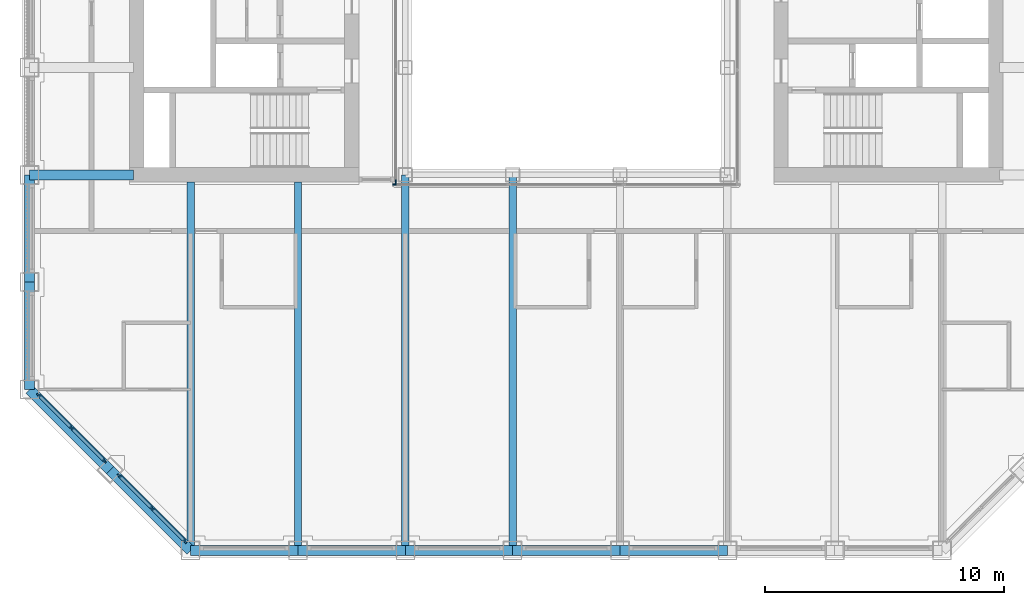
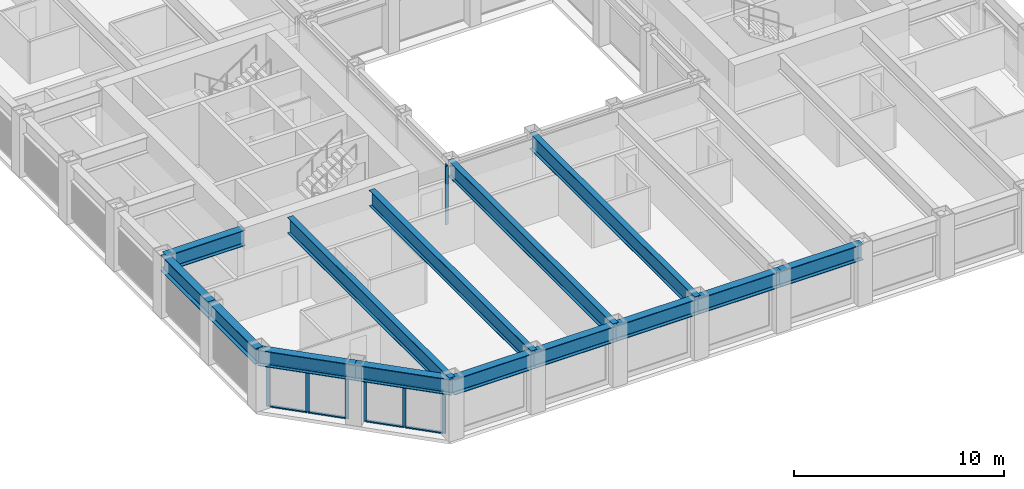
# One storey, part 2 of 17: 16 members, 14 beams, 4 elements without a shape of their own.
"""IFC4 building model written with IfcOpenShell, lengths in metres."""

from ifc_helpers import new_model, si_unit, direction, frame, origin, origin_2d, place, context, subcontext, project, spatial, rectangle, i_section, extrude, material, material_profile, profile_set, type_object, element, aggregate, save


model = new_model("IFC4")

# Units and contexts
model_context = context("Model", 3, precision=1e-05, world=origin(), true_north=direction((0.0, 1.0)))
body_context = subcontext(model_context, "Body", "Model", "MODEL_VIEW")
ifc_project = project(units=[si_unit("LENGTHUNIT", "METRE"), si_unit("AREAUNIT", "SQUARE_METRE"), si_unit("VOLUMEUNIT", "CUBIC_METRE"), si_unit("PLANEANGLEUNIT", "RADIAN"), si_unit("MASSUNIT", "GRAM", prefix="KILO")], contexts=[model_context])

# Site, building, storey
site_placement = place(None, origin())
site = spatial("IfcSite", under=ifc_project, at=site_placement, CompositionType="ELEMENT")
building_placement = place(site_placement, origin())
building = spatial("IfcBuilding", under=site, at=building_placement, Name="Msasa Ring Tower", CompositionType="ELEMENT")
storey_placement = place(building_placement, frame((0.0, 0.0, 165.199951171875)))
storey = spatial("IfcBuildingStorey", under=building, at=storey_placement, Name="L43", CompositionType="ELEMENT", Elevation=165.199951171875)

# Curtain wall, members
ifc_material_1 = material(Name="Aluminium curtain wall with clear glass", Category="aluminium")
curtain_wall_type_1 = type_object("IfcCurtainWallType", Name="CW-C CHAMFER CORNER CURTAIN WALL", PredefinedType="NOTDEFINED", material=ifc_material_1)
curtain_wall_1_placement = place(storey_placement, origin())
curtain_wall_1 = element("IfcCurtainWall", 1, at=curtain_wall_1_placement, inside=storey, type_object=curtain_wall_type_1, Name="Chamfer corner curtain wall SW L43", PredefinedType="NOTDEFINED")
ifc_material_2 = material(Name="Aluminium mullion", Category="aluminium")
ifc_material_profile_1 = material_profile(ifc_material_2, rectangle(XDim=0.06494140625, YDim=0.179931640625, at=origin_2d()), Name="AL 65x180")
ifc_profile_set_1 = profile_set([ifc_material_profile_1], Name="Aluminium mullion")
member_type_1 = type_object("IfcMemberType", Name="CW-C MULLION 65x180", PredefinedType="MULLION", material=ifc_profile_set_1)
member_1_placement = place(storey_placement, frame((-22.119873046875, -15.98876953125, 0.0), z_axis=(0.0, 0.0, 1.0), x_axis=(0.707106781187, 0.707106781187, 0.0)))
member_1 = element("IfcMember", 2, at=member_1_placement, type_object=member_type_1, Name="CW-C mullion 1", PredefinedType="MULLION", context=body_context, shape_type="SweptSolid", body=[
    extrude(rectangle(XDim=0.06494140625, YDim=0.179931640625, at=origin_2d()), origin(), (0.0, 0.0, 1.0), 2.47900390625),
])
member_2_placement = place(storey_placement, frame((-20.74169921875, -17.36669921875, 0.0), z_axis=(0.0, 0.0, 1.0), x_axis=(0.707106781187, 0.707106781187, 0.0)))
member_2 = element("IfcMember", 3, at=member_2_placement, type_object=member_type_1, Name="CW-C mullion 2", PredefinedType="MULLION", context=body_context, shape_type="SweptSolid", body=[
    extrude(rectangle(XDim=0.06494140625, YDim=0.179931640625, at=origin_2d()), origin(), (0.0, 0.0, 1.0), 2.47900390625),
])
member_3_placement = place(storey_placement, frame((-19.36376953125, -18.744873046875, 0.0), z_axis=(0.0, 0.0, 1.0), x_axis=(0.707106781187, 0.707106781187, 0.0)))
member_3 = element("IfcMember", 4, at=member_3_placement, type_object=member_type_1, Name="CW-C mullion 3", PredefinedType="MULLION", context=body_context, shape_type="SweptSolid", body=[
    extrude(rectangle(XDim=0.06494140625, YDim=0.179931640625, at=origin_2d()), origin(), (0.0, 0.0, 1.0), 2.47900390625),
])

curtain_wall_2_placement = place(storey_placement, origin())
curtain_wall_2 = element("IfcCurtainWall", 5, at=curtain_wall_2_placement, inside=storey, type_object=curtain_wall_type_1, Name="Chamfer corner curtain wall SW L43", PredefinedType="NOTDEFINED")
member_4_placement = place(storey_placement, frame((-18.744873046875, -19.36376953125, 0.0), z_axis=(0.0, 0.0, 1.0), x_axis=(0.707106781187, 0.707106781187, 0.0)))
member_4 = element("IfcMember", 6, at=member_4_placement, type_object=member_type_1, Name="CW-C mullion 1", PredefinedType="MULLION", context=body_context, shape_type="SweptSolid", body=[
    extrude(rectangle(XDim=0.06494140625, YDim=0.179931640625, at=origin_2d()), origin(), (0.0, 0.0, 1.0), 2.47900390625),
])
member_5_placement = place(storey_placement, frame((-17.36669921875, -20.74169921875, 0.0), z_axis=(0.0, 0.0, 1.0), x_axis=(0.707106781187, 0.707106781187, 0.0)))
member_5 = element("IfcMember", 7, at=member_5_placement, type_object=member_type_1, Name="CW-C mullion 2", PredefinedType="MULLION", context=body_context, shape_type="SweptSolid", body=[
    extrude(rectangle(XDim=0.06494140625, YDim=0.179931640625, at=origin_2d()), origin(), (0.0, 0.0, 1.0), 2.47900390625),
])
member_6_placement = place(storey_placement, frame((-15.98876953125, -22.119873046875, 0.0), z_axis=(0.0, 0.0, 1.0), x_axis=(0.707106781187, 0.707106781187, 0.0)))
member_6 = element("IfcMember", 8, at=member_6_placement, type_object=member_type_1, Name="CW-C mullion 3", PredefinedType="MULLION", context=body_context, shape_type="SweptSolid", body=[
    extrude(rectangle(XDim=0.06494140625, YDim=0.179931640625, at=origin_2d()), origin(), (0.0, 0.0, 1.0), 2.47900390625),
])

# Member
ifc_material_3 = material(Name="Aluminium transom", Category="aluminium")
ifc_material_profile_2 = material_profile(ifc_material_3, rectangle(XDim=0.139892578125, YDim=0.06494140625, at=origin_2d()), Name="AL 65x140")
ifc_profile_set_2 = profile_set([ifc_material_profile_2], Name="Aluminium transom")
member_type_2 = type_object("IfcMemberType", Name="CW-C TRANSOM 65x140", PredefinedType="USERDEFINED", material=ifc_profile_set_2)
member_7_placement = place(storey_placement, frame((-22.096923828125, -16.01171875, 0.032470703125), z_axis=(0.707106781187, -0.707106781187, 0.0), x_axis=(0.707106781187, 0.707106781187, 0.0)))
member_7 = element("IfcMember", 9, at=member_7_placement, type_object=member_type_2, Name="CW-C transom 1.1", ObjectType="TRANSOM", PredefinedType="USERDEFINED", context=body_context, shape_type="SweptSolid", body=[
    extrude(rectangle(XDim=0.139892578125, YDim=0.06494140625, at=origin_2d()), origin(), (0.0, 0.0, 1.0), 1.8837890625),
])

member_8_placement = place(storey_placement, frame((-22.096923828125, -16.01171875, 2.446533203125), z_axis=(0.707106781187, -0.707106781187, 0.0), x_axis=(0.707106781187, 0.707106781187, 0.0)))
member_8 = element("IfcMember", 10, at=member_8_placement, type_object=member_type_2, Name="CW-C transom 1.2", ObjectType="TRANSOM", PredefinedType="USERDEFINED", context=body_context, shape_type="SweptSolid", body=[
    extrude(rectangle(XDim=0.139892578125, YDim=0.06494140625, at=origin_2d()), origin(), (0.0, 0.0, 1.0), 1.8837890625),
])

member_9_placement = place(storey_placement, frame((-20.71875, -17.389892578125, 0.032470703125), z_axis=(0.707106781187, -0.707106781187, 0.0), x_axis=(0.707106781187, 0.707106781187, 0.0)))
member_9 = element("IfcMember", 11, at=member_9_placement, type_object=member_type_2, Name="CW-C transom 2.1", ObjectType="TRANSOM", PredefinedType="USERDEFINED", context=body_context, shape_type="SweptSolid", body=[
    extrude(rectangle(XDim=0.139892578125, YDim=0.06494140625, at=origin_2d()), origin(), (0.0, 0.0, 1.0), 1.8837890625),
])

member_10_placement = place(storey_placement, frame((-20.71875, -17.389892578125, 2.446533203125), z_axis=(0.707106781187, -0.707106781187, 0.0), x_axis=(0.707106781187, 0.707106781187, 0.0)))
member_10 = element("IfcMember", 12, at=member_10_placement, type_object=member_type_2, Name="CW-C transom 2.2", ObjectType="TRANSOM", PredefinedType="USERDEFINED", context=body_context, shape_type="SweptSolid", body=[
    extrude(rectangle(XDim=0.139892578125, YDim=0.06494140625, at=origin_2d()), origin(), (0.0, 0.0, 1.0), 1.8837890625),
])

aggregate(curtain_wall_1, [member_1, member_2, member_3, member_7, member_8, member_9, member_10])

member_11_placement = place(storey_placement, frame((-18.721923828125, -19.38671875, 0.032470703125), z_axis=(0.707106781187, -0.707106781187, 0.0), x_axis=(0.707106781187, 0.707106781187, 0.0)))
member_11 = element("IfcMember", 13, at=member_11_placement, type_object=member_type_2, Name="CW-C transom 1.1", ObjectType="TRANSOM", PredefinedType="USERDEFINED", context=body_context, shape_type="SweptSolid", body=[
    extrude(rectangle(XDim=0.139892578125, YDim=0.06494140625, at=origin_2d()), origin(), (0.0, 0.0, 1.0), 1.8837890625),
])

member_12_placement = place(storey_placement, frame((-18.721923828125, -19.38671875, 2.446533203125), z_axis=(0.707106781187, -0.707106781187, 0.0), x_axis=(0.707106781187, 0.707106781187, 0.0)))
member_12 = element("IfcMember", 14, at=member_12_placement, type_object=member_type_2, Name="CW-C transom 1.2", ObjectType="TRANSOM", PredefinedType="USERDEFINED", context=body_context, shape_type="SweptSolid", body=[
    extrude(rectangle(XDim=0.139892578125, YDim=0.06494140625, at=origin_2d()), origin(), (0.0, 0.0, 1.0), 1.8837890625),
])

member_13_placement = place(storey_placement, frame((-17.34375, -20.764892578125, 0.032470703125), z_axis=(0.707106781187, -0.707106781187, 0.0), x_axis=(0.707106781187, 0.707106781187, 0.0)))
member_13 = element("IfcMember", 15, at=member_13_placement, type_object=member_type_2, Name="CW-C transom 2.1", ObjectType="TRANSOM", PredefinedType="USERDEFINED", context=body_context, shape_type="SweptSolid", body=[
    extrude(rectangle(XDim=0.139892578125, YDim=0.06494140625, at=origin_2d()), origin(), (0.0, 0.0, 1.0), 1.8837890625),
])

member_14_placement = place(storey_placement, frame((-17.34375, -20.764892578125, 2.446533203125), z_axis=(0.707106781187, -0.707106781187, 0.0), x_axis=(0.707106781187, 0.707106781187, 0.0)))
member_14 = element("IfcMember", 16, at=member_14_placement, type_object=member_type_2, Name="CW-C transom 2.2", ObjectType="TRANSOM", PredefinedType="USERDEFINED", context=body_context, shape_type="SweptSolid", body=[
    extrude(rectangle(XDim=0.139892578125, YDim=0.06494140625, at=origin_2d()), origin(), (0.0, 0.0, 1.0), 1.8837890625),
])

aggregate(curtain_wall_2, [member_4, member_5, member_6, member_11, member_12, member_13, member_14])

# Curtain wall, member
ifc_material_4 = material(Name="Aluminium curtain wall with clear glass", Category="aluminium")
curtain_wall_type_2 = type_object("IfcCurtainWallType", Name="CW-W LIGHT WELL CURTAIN WALL", PredefinedType="NOTDEFINED", material=ifc_material_4)
curtain_wall_3_placement = place(storey_placement, origin())
curtain_wall_3 = element("IfcCurtainWall", 17, at=curtain_wall_3_placement, inside=storey, type_object=curtain_wall_type_2, Name="Light well curtain wall S L43", PredefinedType="NOTDEFINED")
ifc_material_5 = material(Name="Aluminium mullion", Category="aluminium")
ifc_material_profile_3 = material_profile(ifc_material_5, rectangle(XDim=0.06005859375, YDim=0.159912109375, at=origin_2d()), Name="AL 60x160")
ifc_profile_set_3 = profile_set([ifc_material_profile_3], Name="Aluminium mullion")
member_type_3 = type_object("IfcMemberType", Name="CW-W MULLION 60x160", PredefinedType="MULLION", material=ifc_profile_set_3)
member_15_placement = place(storey_placement, frame((-7.199951171875, -7.14990234375, 0.0), z_axis=(0.0, 0.0, 1.0), x_axis=(0.0, 1.0, 0.0)))
member_15 = element("IfcMember", 18, at=member_15_placement, type_object=member_type_3, Name="CW-W mullion 1", PredefinedType="MULLION", context=body_context, shape_type="SweptSolid", body=[
    extrude(rectangle(XDim=0.06005859375, YDim=0.159912109375, at=origin_2d()), origin(), (0.0, 0.0, 1.0), 3.400146484375),
])
aggregate(curtain_wall_3, [member_15])

curtain_wall_4_placement = place(storey_placement, origin())
curtain_wall_4 = element("IfcCurtainWall", 19, at=curtain_wall_4_placement, inside=storey, type_object=curtain_wall_type_2, Name="Light well curtain wall W L43", PredefinedType="NOTDEFINED")
member_16_placement = place(storey_placement, frame((-7.14990234375, -7.0400390625, 0.0), z_axis=(0.0, 0.0, 1.0), x_axis=(-1.0, 0.0, 0.0)))
member_16 = element("IfcMember", 20, at=member_16_placement, type_object=member_type_3, Name="CW-W mullion 1", PredefinedType="MULLION", context=body_context, shape_type="SweptSolid", body=[
    extrude(rectangle(XDim=0.06005859375, YDim=0.159912109375, at=origin_2d()), origin(), (0.0, 0.0, 1.0), 3.400146484375),
])
aggregate(curtain_wall_4, [member_16])

# Beams
ifc_material_6 = material(Name="Steel S355", Category="steel")
ifc_material_profile_4 = material_profile(ifc_material_6, i_section(OverallWidth=0.3076171875, OverallDepth=0.926513671875, WebThickness=0.01953125, FlangeThickness=0.031982421875, FilletRadius=0.01904296875, at=origin_2d()), Name="UB 914x305x289")
ifc_profile_set_4 = profile_set([ifc_material_profile_4], Name="Steel S355")
beam_type_1 = type_object("IfcBeamType", Name="FB3 UB 914x305x289", PredefinedType="BEAM", material=ifc_profile_set_4)
for number, where, z_axis, x_axis, name in (
    (21, (-15.75, -22.5, 2.936767578125), (0.0, 1.0, 0.0), (-1.0, 0.0, 0.0), "Floor beam S-15.75 under L44"),
    (22, (-11.25, -22.5, 2.936767578125), (0.0, 1.0, 0.0), (-1.0, 0.0, 0.0), "Floor beam S-11.25 under L44"),
):
    element("IfcBeam", number, at=place(storey_placement, frame(where, z_axis=z_axis, x_axis=x_axis)), inside=storey, type_object=beam_type_1, Name=name, PredefinedType="BEAM", context=body_context, shape_type="SweptSolid", body=[
        extrude(i_section(OverallWidth=0.3076171875, OverallDepth=0.926513671875, WebThickness=0.01953125, FlangeThickness=0.031982421875, FilletRadius=0.01904296875, at=origin_2d()), origin(), (0.0, 0.0, 1.0), 15.449951171875),
    ])
for number, where, z_axis, x_axis, name in (
    (23, (-6.75, -22.5, 2.936767578125), (0.0, 1.0, 0.0), (-1.0, 0.0, 0.0), "Floor beam S-6.75 under L44"),
    (24, (-2.25, -22.5, 2.936767578125), (0.0, 1.0, 0.0), (-1.0, 0.0, 0.0), "Floor beam S-2.25 under L44"),
):
    element("IfcBeam", number, at=place(storey_placement, frame(where, z_axis=z_axis, x_axis=x_axis)), inside=storey, type_object=beam_type_1, Name=name, PredefinedType="BEAM", context=body_context, shape_type="SweptSolid", body=[
        extrude(i_section(OverallWidth=0.3076171875, OverallDepth=0.926513671875, WebThickness=0.01953125, FlangeThickness=0.031982421875, FilletRadius=0.01904296875, at=origin_2d()), origin(), (0.0, 0.0, 1.0), 15.75),
    ])
ifc_material_7 = material(Name="Steel S355", Category="steel")
ifc_material_profile_5 = material_profile(ifc_material_7, i_section(OverallWidth=0.42041015625, OverallDepth=0.9208984375, WebThickness=0.021484375, FlangeThickness=0.03662109375, FilletRadius=0.024169921875, at=origin_2d()), Name="UB 914x419x388")
ifc_profile_set_5 = profile_set([ifc_material_profile_5], Name="Steel S355")
beam_type_2 = type_object("IfcBeamType", Name="GB1 UB 914x419x388", PredefinedType="BEAM", material=ifc_profile_set_5)
beam_placement = place(storey_placement, frame((-18.14990234375, -6.75, 2.939453125), z_axis=(-1.0, 0.0, 0.0), x_axis=(0.0, -1.0, 0.0)))
element("IfcBeam", 25, at=beam_placement, inside=storey, type_object=beam_type_2, Name="Girder W -6.75 under L44", PredefinedType="BEAM", context=body_context, shape_type="SweptSolid", body=[
    extrude(i_section(OverallWidth=0.42041015625, OverallDepth=0.9208984375, WebThickness=0.021484375, FlangeThickness=0.03662109375, FilletRadius=0.024169921875, at=origin_2d()), origin(), (0.0, 0.0, 1.0), 4.35009765625),
])
ifc_material_8 = material(Name="Steel S355", Category="steel")
ifc_material_profile_6 = material_profile(ifc_material_8, i_section(OverallWidth=0.42041015625, OverallDepth=0.9208984375, WebThickness=0.021484375, FlangeThickness=0.03662109375, FilletRadius=0.024169921875, at=origin_2d()), Name="UB 914x419x388")
ifc_profile_set_6 = profile_set([ifc_material_profile_6], Name="Steel S355")
beam_type_3 = type_object("IfcBeamType", Name="SB1 UB 914x419x388", PredefinedType="SPANDREL", material=ifc_profile_set_6)
for number, where, z_axis, x_axis, name in (
    (26, (-22.5, -6.75, 2.939453125), (0.0, -1.0, 0.0), (1.0, 0.0, 0.0), "Spandrel W-6.75 to W-11.25 under L44"),
    (27, (-22.5, -11.25, 2.939453125), (0.0, -1.0, 0.0), (1.0, 0.0, 0.0), "Spandrel W-11.25 to W-15.75 under L44"),
):
    element("IfcBeam", number, at=place(storey_placement, frame(where, z_axis=z_axis, x_axis=x_axis)), inside=storey, type_object=beam_type_3, Name=name, PredefinedType="SPANDREL", context=body_context, shape_type="SweptSolid", body=[
        extrude(i_section(OverallWidth=0.42041015625, OverallDepth=0.9208984375, WebThickness=0.021484375, FlangeThickness=0.03662109375, FilletRadius=0.024169921875, at=origin_2d()), origin(), (0.0, 0.0, 1.0), 4.5),
    ])
for number, where, z_axis, x_axis, name in (
    (28, (-22.5, -15.75, 2.939453125), (0.707106781187, -0.707106781187, 0.0), (0.707106781187, 0.707106781187, 0.0), "Spandrel W-15.75 to SW under L44"),
    (29, (-19.125, -19.125, 2.939453125), (0.707106781187, -0.707106781187, 0.0), (0.707106781187, 0.707106781187, 0.0), "Spandrel SW to S-15.75 under L44"),
):
    element("IfcBeam", number, at=place(storey_placement, frame(where, z_axis=z_axis, x_axis=x_axis)), inside=storey, type_object=beam_type_3, Name=name, PredefinedType="SPANDREL", context=body_context, shape_type="SweptSolid", body=[
        extrude(i_section(OverallWidth=0.42041015625, OverallDepth=0.9208984375, WebThickness=0.021484375, FlangeThickness=0.03662109375, FilletRadius=0.024169921875, at=origin_2d()), origin(), (0.0, 0.0, 1.0), 4.77294921875),
    ])
for number, where, z_axis, x_axis, name in (
    (30, (-15.75, -22.5, 2.939453125), (1.0, 0.0, 0.0), (0.0, 1.0, 0.0), "Spandrel S-15.75 to S-11.25 under L44"),
    (31, (-11.25, -22.5, 2.939453125), (1.0, 0.0, 0.0), (0.0, 1.0, 0.0), "Spandrel S-11.25 to S-6.75 under L44"),
    (32, (-6.75, -22.5, 2.939453125), (1.0, 0.0, 0.0), (0.0, 1.0, 0.0), "Spandrel S-6.75 to S-2.25 under L44"),
    (33, (-2.25, -22.5, 2.939453125), (1.0, 0.0, 0.0), (0.0, 1.0, 0.0), "Spandrel S-2.25 to S+2.25 under L44"),
    (34, (2.25, -22.5, 2.939453125), (1.0, 0.0, 0.0), (0.0, 1.0, 0.0), "Spandrel S+2.25 to S+6.75 under L44"),
):
    element("IfcBeam", number, at=place(storey_placement, frame(where, z_axis=z_axis, x_axis=x_axis)), inside=storey, type_object=beam_type_3, Name=name, PredefinedType="SPANDREL", context=body_context, shape_type="SweptSolid", body=[
        extrude(i_section(OverallWidth=0.42041015625, OverallDepth=0.9208984375, WebThickness=0.021484375, FlangeThickness=0.03662109375, FilletRadius=0.024169921875, at=origin_2d()), origin(), (0.0, 0.0, 1.0), 4.5),
    ])

save(model, "model.ifc")
